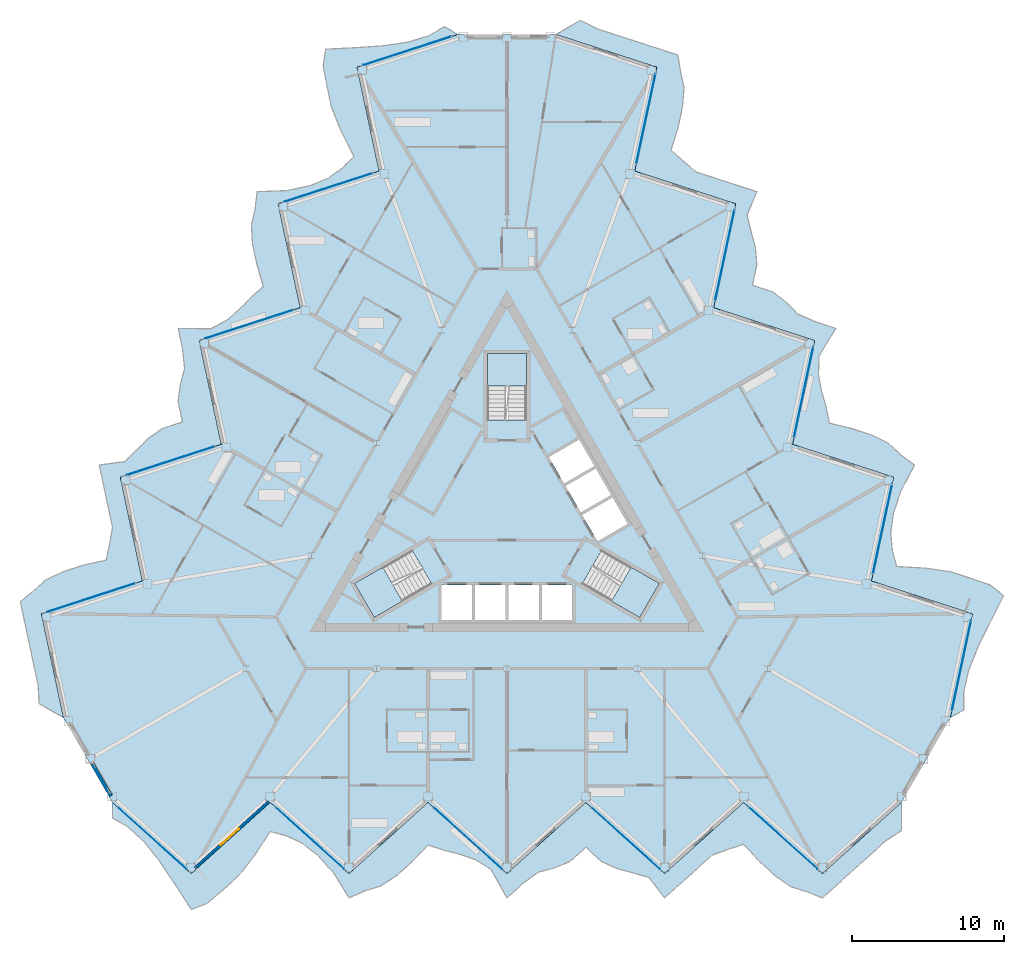
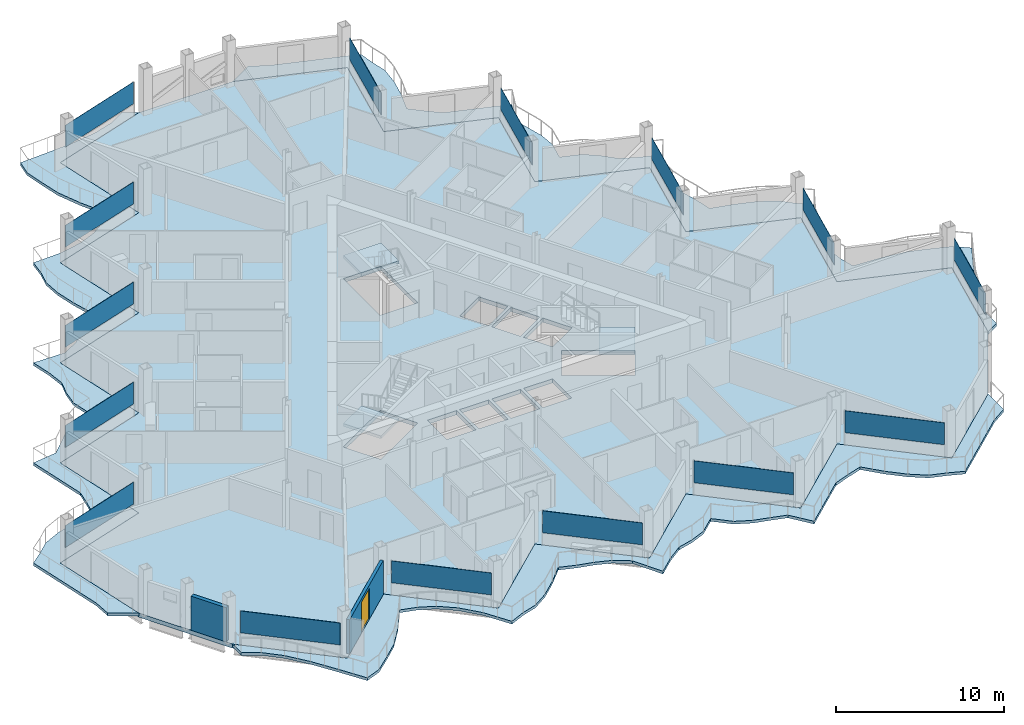
# One storey, part 12 of 26: 15 plates, 7 slabs, 2 walls, 1 door, 1 opening, 18 elements without a shape of their own.
"""IFC4 building model written with IfcOpenShell, lengths in metres."""

import ifcopenshell
import ifcopenshell.guid

model = None  # the IFC model being written
_history = None  # IfcOwnerHistory: only IFC2X3 demands one
_inside = {}  # id of a spatial element -> (the spatial element, [elements in it])
_under = {}  # id of a project, library or spatial element -> (it, [spatial elements below it])
_declared = {}  # id of a project -> (the project, [libraries it declares])
_typed = {}  # id of a type object -> (the type object, [elements of that type])
_made_of = {}  # id of a material, layer set ... -> (it, [elements and type objects made of it])


def new_model(schema):
    """Start an empty IFC model of exactly this schema.

    Asked for "IFC4X3", IfcOpenShell would pick the latest addendum, in which some entities
    have other attributes; the version numbers below select the first issue.
    IFC2X3 requires an IfcOwnerHistory on every rooted entity: one is made here for all.
    """
    global model, _history
    if schema == "IFC4X3":
        model = ifcopenshell.file(schema_version=(4, 3, 0, 0))
    else:
        model = ifcopenshell.file(schema=schema)
    _inside.clear()
    _under.clear()
    _declared.clear()
    _typed.clear()
    _made_of.clear()
    _history = None
    if model.schema == "IFC2X3":
        org = make("IfcOrganization", Name="unknown")
        user = make(
            "IfcPersonAndOrganization",
            ThePerson=make("IfcPerson", FamilyName="unknown"),
            TheOrganization=org,
        )
        app = make(
            "IfcApplication",
            ApplicationDeveloper=org,
            Version="unknown",
            ApplicationFullName="unknown",
            ApplicationIdentifier="unknown",
        )
        _history = make(
            "IfcOwnerHistory",
            OwningUser=user,
            OwningApplication=app,
            ChangeAction="ADDED",
            CreationDate=0,
        )
    return model


def make(cls, **values):
    """One entity of the class cls with the attributes given. An attribute that is None is left unset."""
    return model.create_entity(
        cls, **{name: value for name, value in values.items() if value is not None}
    )


def rooted(cls, **values):
    """An entity with a GlobalId (a new one), such as an element, a storey or a relation."""
    return make(cls, GlobalId=ifcopenshell.guid.new(), OwnerHistory=_history, **values)


def si_unit(unit_type, name, prefix=None):
    """IfcSIUnit, for example si_unit("LENGTHUNIT", "METRE", prefix="MILLI")."""
    return make("IfcSIUnit", UnitType=unit_type, Prefix=prefix, Name=name)


def assignment(units):
    """IfcUnitAssignment: the units of a project."""
    return None if units is None else make("IfcUnitAssignment", Units=units)


def point(xyz):
    """IfcCartesianPoint."""
    return None if xyz is None else make("IfcCartesianPoint", Coordinates=xyz)


def direction(xyz):
    """IfcDirection."""
    return None if xyz is None else make("IfcDirection", DirectionRatios=xyz)


def frame(location, z_axis=None, x_axis=None):
    """IfcAxis2Placement3D, a coordinate frame: its origin and axes. An axis left out is left unset."""
    return make(
        "IfcAxis2Placement3D",
        Location=point(location),
        Axis=direction(z_axis),
        RefDirection=direction(x_axis),
    )


def frame_2d(location, x_axis=None):
    """IfcAxis2Placement2D, a coordinate frame in the plane: its origin and x axis."""
    return make(
        "IfcAxis2Placement2D", Location=point(location), RefDirection=direction(x_axis)
    )


def origin():
    """The frame at (0, 0, 0) with its axes left unset."""
    return frame((0.0, 0.0, 0.0))


def origin_2d():
    """The frame at (0, 0) in the plane with its x axis left unset."""
    return frame_2d((0.0, 0.0))


def place(relative_to, where):
    """IfcLocalPlacement: puts the frame where relative to a parent placement (None: the world)."""
    return make(
        "IfcLocalPlacement", PlacementRelTo=relative_to, RelativePlacement=where
    )


def context(
    kind, dimensions, precision=None, world=None, true_north=None, identifier=None
):
    """IfcGeometricRepresentationContext, for example the 3D "Model" context."""
    return make(
        "IfcGeometricRepresentationContext",
        ContextIdentifier=identifier,
        ContextType=kind,
        CoordinateSpaceDimension=dimensions,
        Precision=precision,
        WorldCoordinateSystem=world,
        TrueNorth=true_north,
    )


def subcontext(parent, identifier, kind, view, scale=None):
    """IfcGeometricRepresentationSubContext, for example "Body" below "Model"."""
    return make(
        "IfcGeometricRepresentationSubContext",
        ContextIdentifier=identifier,
        ContextType=kind,
        ParentContext=parent,
        TargetScale=scale,
        TargetView=view,
    )


def project(units=None, contexts=None):
    """IfcProject with its units and contexts."""
    return rooted(
        "IfcProject",
        Name="project",
        RepresentationContexts=contexts,
        UnitsInContext=assignment(units),
    )


def spatial(cls, under=None, at=None, **own):
    """A site, building, storey or space (cls), placed at a placement, below another one or the project."""
    s = rooted(cls, ObjectPlacement=at, **own)
    if under is not None:
        _under.setdefault(under.id(), (under, []))[1].append(s)
    return s


def polyline(points):
    """IfcPolyline through the points."""
    return make("IfcPolyline", Points=[point(p) for p in points])


def profile(cls, at=None, kind="AREA", **sizes):
    """A parametric profile (cls). Its sizes go by their IFC names, for example OverallWidth=200.0."""
    return make(cls, ProfileType=kind, Position=at, **sizes)


def rectangle(**sizes):
    """IfcRectangleProfileDef."""
    return profile("IfcRectangleProfileDef", **sizes)


def outline(outer, holes=None, kind="AREA"):
    """IfcArbitraryClosedProfileDef: a profile drawn as a closed curve; with holes, ...WithVoids."""
    if holes is None:
        return make("IfcArbitraryClosedProfileDef", ProfileType=kind, OuterCurve=outer)
    return make(
        "IfcArbitraryProfileDefWithVoids",
        ProfileType=kind,
        OuterCurve=outer,
        InnerCurves=holes,
    )


def extrude(swept, where, along, depth):
    """IfcExtrudedAreaSolid: the profile swept, set in the frame where, extruded along a direction by depth."""
    return make(
        "IfcExtrudedAreaSolid",
        SweptArea=swept,
        Position=where,
        ExtrudedDirection=direction(along),
        Depth=depth,
    )


def shape(context_of_items, identifier, shape_type, items):
    """IfcShapeRepresentation: the items that make up one representation, for example the "Body"."""
    return make(
        "IfcShapeRepresentation",
        ContextOfItems=context_of_items,
        RepresentationIdentifier=identifier,
        RepresentationType=shape_type,
        Items=items,
    )


def material(Name=None, Category=None):
    """IfcMaterial."""
    return make("IfcMaterial", Name=Name, Category=Category)


def layer(
    of_material, thickness, ventilated=None, Name=None, Category=None, Priority=None
):
    """IfcMaterialLayer: one layer of a wall or slab, of a material (None: an air gap)."""
    return make(
        "IfcMaterialLayer",
        Material=of_material,
        LayerThickness=thickness,
        IsVentilated=ventilated,
        Name=Name,
        Category=Category,
        Priority=Priority,
    )


def layer_set(layers, Name=None):
    """IfcMaterialLayerSet."""
    return make("IfcMaterialLayerSet", MaterialLayers=layers, LayerSetName=Name)


def made_of(thing, what):
    """Note that an element or type object is made of a material, layer set ...; save() writes the relation."""
    if what is not None:
        _made_of.setdefault(what.id(), (what, []))[1].append(thing)
    return thing


def type_object(cls, material=None, **own):
    """A type object (cls), such as IfcWallType, which elements share."""
    return made_of(rooted(cls, **own), material)


def element(
    cls,
    number,
    at=None,
    inside=None,
    cuts=None,
    type_object=None,
    material=None,
    context=None,
    identifier="Body",
    shape_type=None,
    held_by="IfcProductDefinitionShape",
    body=None,
    shapes=None,
    **own,
):
    """One element of the class cls, such as IfcWall. Its Tag is "e" and its number.

    at: its placement. inside: the storey or other place that contains it. cuts: it is an
    opening in that element (IfcRelVoidsElement). A single representation is given by context,
    identifier, shape_type and body (its items); several are given by shapes. held_by: the class
    of the entity that holds the representations. save() writes the other relations.
    """
    e = rooted(cls, Tag="e%d" % number, ObjectPlacement=at, **own)
    if body is not None:
        shapes = [shape(context, identifier, shape_type, body)]
    if shapes is not None:
        e.Representation = make(held_by, Representations=shapes)
    if inside is not None:
        _inside.setdefault(inside.id(), (inside, []))[1].append(e)
    if cuts is not None:
        rooted(
            "IfcRelVoidsElement", RelatingBuildingElement=cuts, RelatedOpeningElement=e
        )
    if type_object is not None:
        _typed.setdefault(type_object.id(), (type_object, []))[1].append(e)
    return made_of(e, material)


def fill(opening, filler):
    """IfcRelFillsElement: the door or window that sits in an opening."""
    return rooted(
        "IfcRelFillsElement",
        RelatingOpeningElement=opening,
        RelatedBuildingElement=filler,
    )


def aggregate(whole, parts):
    """IfcRelAggregates: a whole, such as a stair, and the parts it consists of."""
    return rooted("IfcRelAggregates", RelatingObject=whole, RelatedObjects=parts)


def save(model, path):
    """Write the relations noted so far, then the file.

    IfcRelAggregates (storeys below a building ...), IfcRelContainedInSpatialStructure (elements
    in a storey), IfcRelDefinesByType, IfcRelAssociatesMaterial and IfcRelDeclares: one each for
    every whole, place, type object, material and project.
    """
    for whole, parts in _under.values():
        aggregate(whole, parts)
    for where, things in _inside.values():
        rooted(
            "IfcRelContainedInSpatialStructure",
            RelatedElements=things,
            RelatingStructure=where,
        )
    for kind, things in _typed.values():
        rooted("IfcRelDefinesByType", RelatedObjects=things, RelatingType=kind)
    for what, things in _made_of.values():
        rooted("IfcRelAssociatesMaterial", RelatedObjects=things, RelatingMaterial=what)
    for by, libraries in _declared.values():
        rooted("IfcRelDeclares", RelatingContext=by, RelatedDefinitions=libraries)
    model.write(path)


model = new_model("IFC4")

# Units and contexts
model_context = context("Model", 3, precision=1e-05, world=origin(), true_north=direction((0.0, 1.0)))
body_context = subcontext(model_context, "Body", "Model", "MODEL_VIEW")
ifc_project = project(units=[si_unit("LENGTHUNIT", "METRE"), si_unit("AREAUNIT", "SQUARE_METRE"), si_unit("VOLUMEUNIT", "CUBIC_METRE"), si_unit("PLANEANGLEUNIT", "RADIAN"), si_unit("MASSUNIT", "GRAM", prefix="KILO")], contexts=[model_context])

# Site, building, storey
site_placement = place(None, origin())
site = spatial("IfcSite", under=ifc_project, at=site_placement, CompositionType="ELEMENT")
building_placement = place(site_placement, origin())
building = spatial("IfcBuilding", under=site, at=building_placement, Name="Cormorant Prow Tower", CompositionType="ELEMENT")
storey_placement = place(building_placement, frame((0.0, 0.0, 329.0)))
storey = spatial("IfcBuildingStorey", under=building, at=storey_placement, Name="L73", CompositionType="ELEMENT", Elevation=329.0)

# Slabs
ifc_material_1 = material(Name="Concrete C40/50", Category="concrete")
ifc_layer_1 = layer(ifc_material_1, 0.199951171875)
ifc_layer_set_1 = layer_set([ifc_layer_1], Name="Concrete C40/50")
slab_type_1 = type_object("IfcSlabType", Name="Balcony slab 200", PredefinedType="FLOOR", material=ifc_layer_set_1)
slab_1_placement = place(storey_placement, frame((0.0, 0.0, -0.199951171875)))
element("IfcSlab", 1, at=slab_1_placement, inside=storey, type_object=slab_type_1, Name="Balcony slab S L73", PredefinedType="FLOOR", context=body_context, shape_type="SweptSolid", body=[
    extrude(outline(polyline([(-25.9736328125, -18.718017578125), (-25.9736328125, -19.734130859375), (-24.9345703125, -20.33837890625), (-23.895751953125, -21.299560546875), (-22.856689453125, -22.610595703125), (-21.81787109375, -24.16064453125), (-20.77880859375, -25.769287109375), (-19.739990234375, -25.367919921875), (-18.700927734375, -24.474609375), (-17.662109375, -23.5390625), (-16.623046875, -22.214111328125), (-15.584228515625, -20.627685546875), (-14.545166015625, -20.90966796875), (-13.50634765625, -21.380615234375), (-12.46728515625, -22.177490234375), (-11.428466796875, -23.3408203125), (-10.389404296875, -24.995361328125), (-9.3505859375, -24.540283203125), (-8.3115234375, -24.223876953125), (-7.272705078125, -23.5390625), (-6.233642578125, -22.603515625), (-5.19482421875, -21.515625), (-4.15576171875, -21.864990234375), (-3.116943359375, -22.123046875), (-2.077880859375, -22.488525390625), (-1.0390625, -23.129150390625), (0.0, -24.995361328125), (1.0390625, -24.06005859375), (2.077880859375, -23.300537109375), (3.116943359375, -23.0322265625), (4.15576171875, -22.603515625), (5.19482421875, -21.668212890625), (6.233642578125, -22.603515625), (7.272705078125, -23.083984375), (8.3115234375, -23.358154296875), (9.3505859375, -23.652099609375), (10.389404296875, -24.995361328125), (11.428466796875, -24.06005859375), (12.46728515625, -23.12451171875), (13.50634765625, -22.18896484375), (14.545166015625, -21.80859375), (15.584228515625, -21.474365234375), (16.623046875, -22.603515625), (17.662109375, -23.5390625), (18.700927734375, -24.267578125), (19.739990234375, -24.597412109375), (20.77880859375, -24.995361328125), (21.81787109375, -24.06005859375), (22.856689453125, -23.12451171875), (23.895751953125, -22.18896484375), (24.9345703125, -21.253662109375), (25.9736328125, -20.56982421875), (25.9736328125, -18.718017578125), (24.9345703125, -19.653564453125), (23.895751953125, -20.589111328125), (22.856689453125, -21.5244140625), (21.81787109375, -22.4599609375), (20.77880859375, -23.3955078125), (19.739990234375, -22.4599609375), (18.700927734375, -21.5244140625), (17.662109375, -20.589111328125), (16.623046875, -19.653564453125), (15.584228515625, -18.718017578125), (14.545166015625, -19.653564453125), (13.50634765625, -20.589111328125), (12.46728515625, -21.5244140625), (11.428466796875, -22.4599609375), (10.389404296875, -23.3955078125), (9.3505859375, -22.4599609375), (8.3115234375, -21.5244140625), (7.272705078125, -20.589111328125), (6.233642578125, -19.653564453125), (5.19482421875, -18.718017578125), (4.15576171875, -19.653564453125), (3.116943359375, -20.589111328125), (2.077880859375, -21.5244140625), (1.0390625, -22.4599609375), (0.0, -23.3955078125), (-1.0390625, -22.4599609375), (-2.077880859375, -21.5244140625), (-3.116943359375, -20.589111328125), (-4.15576171875, -19.653564453125), (-5.19482421875, -18.718017578125), (-6.233642578125, -19.653564453125), (-7.272705078125, -20.589111328125), (-8.3115234375, -21.5244140625), (-9.3505859375, -22.4599609375), (-10.389404296875, -23.3955078125), (-11.428466796875, -22.4599609375), (-12.46728515625, -21.5244140625), (-13.50634765625, -20.589111328125), (-14.545166015625, -19.653564453125), (-15.584228515625, -18.718017578125), (-16.623046875, -19.653564453125), (-17.662109375, -20.589111328125), (-18.700927734375, -21.5244140625), (-19.739990234375, -22.4599609375), (-20.77880859375, -23.3955078125), (-21.81787109375, -22.4599609375), (-22.856689453125, -21.5244140625), (-23.895751953125, -20.589111328125), (-24.9345703125, -19.653564453125), (-25.9736328125, -18.718017578125)])), origin(), (0.0, 0.0, 1.0), 0.199951171875),
])
slab_2_placement = place(storey_placement, frame((0.0, 0.0, -0.199951171875)))
element("IfcSlab", 2, at=slab_2_placement, inside=storey, type_object=slab_type_1, Name="Balcony slab ENE L73", PredefinedType="FLOOR", context=body_context, shape_type="SweptSolid", body=[
    extrude(outline(polyline([(29.197021484375, -13.134765625), (30.0771484375, -12.626708984375), (30.080810546875, -11.4248046875), (30.393798828125, -10.04443359375), (31.009521484375, -8.4892578125), (31.83251953125, -6.814453125), (32.706298828125, -5.1103515625), (31.839111328125, -4.411376953125), (30.546142578125, -3.958251953125), (29.21630859375, -3.526123046875), (27.549560546875, -3.288818359375), (25.65625, -3.182373046875), (25.380859375, -2.1416015625), (25.269287109375, -1.00634765625), (25.43994140625, 0.291748046875), (25.927978515625, 1.773193359375), (26.84130859375, 3.500244140625), (25.927734375, 4.17236328125), (25.13427734375, 4.913818359375), (24.021728515625, 5.47119140625), (22.692138671875, 5.9033203125), (21.23046875, 6.259033203125), (21.013671875, 7.33349609375), (20.717529296875, 8.3623046875), (20.5146484375, 9.44482421875), (20.550048828125, 10.664794921875), (21.646728515625, 12.497802734375), (20.317138671875, 12.9296875), (19.139892578125, 13.44970703125), (18.38818359375, 14.21533203125), (17.497314453125, 14.90087890625), (16.167724609375, 15.332763671875), (16.45849609375, 16.7001953125), (16.35498046875, 17.840087890625), (16.072998046875, 18.877197265625), (15.80810546875, 19.923828125), (16.451904296875, 21.4951171875), (15.122314453125, 21.92724609375), (13.792724609375, 22.359375), (12.463134765625, 22.791259765625), (11.6142578125, 23.500732421875), (10.80517578125, 24.2333984375), (11.263671875, 25.69775390625), (11.554443359375, 27.065185546875), (11.665771484375, 28.3291015625), (11.43212890625, 29.39404296875), (11.25732421875, 30.49267578125), (9.927734375, 30.9248046875), (8.59814453125, 31.356689453125), (7.2685546875, 31.788818359375), (5.93896484375, 32.220703125), (4.8271484375, 32.778564453125), (3.2236328125, 31.852783203125), (4.55322265625, 31.4208984375), (5.8828125, 30.98876953125), (7.21240234375, 30.556640625), (8.5419921875, 30.124755859375), (9.87158203125, 29.692626953125), (9.5810546875, 28.3251953125), (9.290283203125, 26.957763671875), (8.999755859375, 25.59033203125), (8.708984375, 24.222900390625), (8.418212890625, 22.855224609375), (9.748046875, 22.42333984375), (11.07763671875, 21.9912109375), (12.4072265625, 21.559326171875), (13.73681640625, 21.127197265625), (15.06640625, 20.6953125), (14.775634765625, 19.32763671875), (14.485107421875, 17.960205078125), (14.1943359375, 16.5927734375), (13.90380859375, 15.225341796875), (13.613037109375, 13.85791015625), (14.942626953125, 13.42578125), (16.272216796875, 12.993896484375), (17.601806640625, 12.561767578125), (18.931396484375, 12.129638671875), (20.260986328125, 11.69775390625), (19.970458984375, 10.330322265625), (19.6796875, 8.962646484375), (19.38916015625, 7.59521484375), (19.098388671875, 6.227783203125), (18.8076171875, 4.8603515625), (20.137451171875, 4.42822265625), (21.467041015625, 3.996337890625), (22.796630859375, 3.564208984375), (24.126220703125, 3.13232421875), (25.455810546875, 2.7001953125), (25.1650390625, 1.332763671875), (24.87451171875, -0.03466796875), (24.583740234375, -1.402099609375), (24.293212890625, -2.769775390625), (24.00244140625, -4.13720703125), (25.33203125, -4.569091796875), (26.66162109375, -5.001220703125), (27.9912109375, -5.43310546875), (29.32080078125, -5.865234375), (30.650390625, -6.29736328125), (30.35986328125, -7.664794921875), (30.069091796875, -9.0322265625), (29.778564453125, -10.399658203125), (29.48779296875, -11.76708984375), (29.197021484375, -13.134765625)])), origin(), (0.0, 0.0, 1.0), 0.199951171875),
])
slab_3_placement = place(storey_placement, frame((0.0, 0.0, -0.199951171875)))
element("IfcSlab", 3, at=slab_3_placement, inside=storey, type_object=slab_type_1, Name="Balcony slab WNW L73", PredefinedType="FLOOR", context=body_context, shape_type="SweptSolid", body=[
    extrude(outline(polyline([(-3.2236328125, 31.852783203125), (-4.103515625, 32.36083984375), (-5.146240234375, 31.76318359375), (-6.498291015625, 31.343994140625), (-8.15283203125, 31.099853515625), (-10.014892578125, 30.97509765625), (-11.927490234375, 30.879638671875), (-12.099365234375, 29.779052734375), (-11.84521484375, 28.432861328125), (-11.554443359375, 27.065185546875), (-10.926513671875, 25.5029296875), (-10.072021484375, 23.81005859375), (-10.835693359375, 23.05126953125), (-11.762939453125, 22.386962890625), (-12.97265625, 21.8857421875), (-14.49951171875, 21.567626953125), (-16.451904296875, 21.4951171875), (-16.5771484375, 20.367919921875), (-16.82275390625, 19.309814453125), (-16.7490234375, 18.06787109375), (-16.45849609375, 16.7001953125), (-16.03564453125, 15.256591796875), (-16.85791015625, 14.531494140625), (-17.600830078125, 13.7607421875), (-18.436767578125, 13.043701171875), (-19.510986328125, 12.46435546875), (-21.646728515625, 12.497802734375), (-21.35595703125, 11.13037109375), (-21.2177734375, 9.850830078125), (-21.5048828125, 8.81689453125), (-21.653076171875, 7.702880859375), (-21.362548828125, 6.335205078125), (-22.692138671875, 5.9033203125), (-23.62744140625, 5.24365234375), (-24.384521484375, 4.481201171875), (-25.158447265625, 3.728271484375), (-26.84130859375, 3.500244140625), (-26.55078125, 2.1328125), (-26.260009765625, 0.765380859375), (-25.969482421875, -0.602294921875), (-26.159423828125, -1.692138671875), (-26.389404296875, -2.759033203125), (-27.88671875, -3.09423828125), (-29.21630859375, -3.526123046875), (-30.36669921875, -4.061767578125), (-31.171875, -4.796630859375), (-32.0361328125, -5.497314453125), (-31.745361328125, -6.86474609375), (-31.454833984375, -8.232177734375), (-31.1640625, -9.599609375), (-30.87353515625, -10.96728515625), (-30.80078125, -12.208740234375), (-29.197021484375, -13.134765625), (-29.48779296875, -11.76708984375), (-29.778564453125, -10.399658203125), (-30.069091796875, -9.0322265625), (-30.35986328125, -7.664794921875), (-30.650390625, -6.29736328125), (-29.32080078125, -5.865234375), (-27.9912109375, -5.43310546875), (-26.66162109375, -5.001220703125), (-25.33203125, -4.569091796875), (-24.00244140625, -4.13720703125), (-24.293212890625, -2.769775390625), (-24.583740234375, -1.402099609375), (-24.87451171875, -0.03466796875), (-25.1650390625, 1.332763671875), (-25.455810546875, 2.7001953125), (-24.126220703125, 3.13232421875), (-22.796630859375, 3.564208984375), (-21.467041015625, 3.996337890625), (-20.137451171875, 4.42822265625), (-18.8076171875, 4.8603515625), (-19.098388671875, 6.227783203125), (-19.38916015625, 7.59521484375), (-19.6796875, 8.962646484375), (-19.970458984375, 10.330322265625), (-20.260986328125, 11.69775390625), (-18.931396484375, 12.129638671875), (-17.601806640625, 12.561767578125), (-16.272216796875, 12.993896484375), (-14.942626953125, 13.42578125), (-13.613037109375, 13.85791015625), (-13.90380859375, 15.225341796875), (-14.1943359375, 16.5927734375), (-14.485107421875, 17.960205078125), (-14.775634765625, 19.32763671875), (-15.06640625, 20.6953125), (-13.73681640625, 21.127197265625), (-12.4072265625, 21.559326171875), (-11.07763671875, 21.9912109375), (-9.748046875, 22.42333984375), (-8.418212890625, 22.855224609375), (-8.708984375, 24.222900390625), (-8.999755859375, 25.59033203125), (-9.290283203125, 26.957763671875), (-9.5810546875, 28.3251953125), (-9.87158203125, 29.692626953125), (-8.5419921875, 30.124755859375), (-7.21240234375, 30.556640625), (-5.8828125, 30.98876953125), (-4.55322265625, 31.4208984375), (-3.2236328125, 31.852783203125)])), origin(), (0.0, 0.0, 1.0), 0.199951171875),
])
ifc_material_2 = material(Name="Concrete C40/50", Category="concrete")
ifc_layer_2 = layer(ifc_material_2, 0.300048828125)
ifc_layer_set_2 = layer_set([ifc_layer_2], Name="Concrete C40/50")
slab_type_2 = type_object("IfcSlabType", Name="Post-tensioned flat slab 300", PredefinedType="FLOOR", material=ifc_layer_set_2)
slab_4_placement = place(storey_placement, frame((0.0, 0.0, -0.300048828125)))
element("IfcSlab", 4, at=slab_4_placement, inside=storey, type_object=slab_type_2, Name="Floor slab L73", PredefinedType="FLOOR", context=body_context, shape_type="SweptSolid", body=[
    extrude(outline(polyline([(-8.418212890625, 22.855224609375), (-15.06640625, 20.6953125), (-13.613037109375, 13.85791015625), (-20.260986328125, 11.69775390625), (-18.8076171875, 4.8603515625), (-25.455810546875, 2.7001953125), (-24.00244140625, -4.13720703125), (-30.650390625, -6.29736328125), (-29.197021484375, -13.134765625), (-27.58544921875, -15.926513671875), (-25.9736328125, -18.718017578125), (-20.77880859375, -23.3955078125), (-15.584228515625, -18.718017578125), (-10.389404296875, -23.3955078125), (-5.19482421875, -18.718017578125), (0.0, -23.3955078125), (5.19482421875, -18.718017578125), (10.389404296875, -23.3955078125), (15.584228515625, -18.718017578125), (20.77880859375, -23.3955078125), (25.9736328125, -18.718017578125), (27.58544921875, -15.926513671875), (29.197021484375, -13.134765625), (30.650390625, -6.29736328125), (24.00244140625, -4.13720703125), (25.455810546875, 2.7001953125), (18.8076171875, 4.8603515625), (20.260986328125, 11.69775390625), (13.613037109375, 13.85791015625), (15.06640625, 20.6953125), (8.418212890625, 22.855224609375), (9.87158203125, 29.692626953125), (3.2236328125, 31.852783203125), (0.0, 31.852783203125), (-3.2236328125, 31.852783203125), (-9.87158203125, 29.692626953125), (-8.418212890625, 22.855224609375)]), holes=[polyline([(-4.300048828125, -4.39990234375), (-2.300048828125, -4.39990234375), (-2.300048828125, -6.699951171875), (-4.300048828125, -6.699951171875), (-4.300048828125, -4.39990234375)]), polyline([(-0.10009765625, -4.39990234375), (-0.10009765625, -6.699951171875), (-2.10009765625, -6.699951171875), (-2.10009765625, -4.39990234375), (-0.10009765625, -4.39990234375)]), polyline([(2.10009765625, -6.699951171875), (0.10009765625, -6.699951171875), (0.10009765625, -4.39990234375), (2.10009765625, -4.39990234375), (2.10009765625, -6.699951171875)]), polyline([(2.300048828125, -6.699951171875), (2.300048828125, -4.39990234375), (4.300048828125, -4.39990234375), (4.300048828125, -6.699951171875), (2.300048828125, -6.699951171875)]), polyline([(5.96044921875, -1.52392578125), (4.96044921875, 0.2080078125), (6.952392578125, 1.358154296875), (7.952392578125, -0.373779296875), (5.96044921875, -1.52392578125)]), polyline([(3.860595703125, 2.11328125), (5.852294921875, 3.263427734375), (6.852294921875, 1.53125), (4.860595703125, 0.38134765625), (3.860595703125, 2.11328125)]), polyline([(4.75244140625, 5.168701171875), (5.75244140625, 3.4365234375), (3.760498046875, 2.28662109375), (2.760498046875, 4.018798828125), (4.75244140625, 5.168701171875)]), polyline([(-4.947509765625, -4.3505859375), (-8.738037109375, -6.5390625), (-10.031982421875, -4.2978515625), (-6.241455078125, -2.109375), (-4.947509765625, -4.3505859375)]), polyline([(10.031982421875, -4.2978515625), (8.738037109375, -6.5390625), (4.947509765625, -4.3505859375), (6.241455078125, -2.109375), (10.031982421875, -4.2978515625)]), polyline([(1.2939453125, 10.8369140625), (1.2939453125, 6.459716796875), (-1.2939453125, 6.459716796875), (-1.2939453125, 10.8369140625), (1.2939453125, 10.8369140625)])]), origin(), (0.0, 0.0, 1.0), 0.300048828125),
])

# Curtain wall, plate
ifc_material_3 = material(Name="Aluminium 6063-T6", Category="aluminium")
ifc_layer_3 = layer(ifc_material_3, 0.159912109375)
ifc_layer_set_3 = layer_set([ifc_layer_3], Name="Aluminium 6063-T6")
curtain_wall_type = type_object("IfcCurtainWallType", Name="Residential unitised curtain wall 160", PredefinedType="NOTDEFINED", material=ifc_layer_set_3)
curtain_wall_1_placement = place(storey_placement, origin())
curtain_wall_1 = element("IfcCurtainWall", 5, at=curtain_wall_1_placement, inside=storey, type_object=curtain_wall_type, Name="Residential curtain wall S00", PredefinedType="NOTDEFINED")
ifc_material_4 = material(Name="Clear glass", Category="glass")
ifc_layer_4 = layer(ifc_material_4, 0.02392578125)
ifc_layer_set_4 = layer_set([ifc_layer_4], Name="Clear glass")
plate_type = type_object("IfcPlateType", Name="Residential glass panel 24", PredefinedType="CURTAIN_PANEL", material=ifc_layer_set_4)
plate_1_placement = place(storey_placement, frame((-23.357666015625, -21.073486328125, 0.89990234375), z_axis=(0.0, 0.0, 1.0), x_axis=(0.74314478215, -0.669130654479, 0.0)))
plate_1 = element("IfcPlate", 6, at=plate_1_placement, type_object=plate_type, Name="Residential glass panel S00", PredefinedType="CURTAIN_PANEL", context=body_context, shape_type="SweptSolid", body=[
    extrude(rectangle(XDim=6.072265625, YDim=0.02392578125, at=origin_2d()), origin(), (0.0, 0.0, 1.0), 1.587890625),
])
aggregate(curtain_wall_1, [plate_1])

curtain_wall_2_placement = place(storey_placement, origin())
curtain_wall_2 = element("IfcCurtainWall", 7, at=curtain_wall_2_placement, inside=storey, type_object=curtain_wall_type, Name="Residential curtain wall S02", PredefinedType="NOTDEFINED")
plate_2_placement = place(storey_placement, frame((-12.96826171875, -21.073486328125, 0.89990234375), z_axis=(0.0, 0.0, 1.0), x_axis=(0.74314478215, -0.669130654479, 0.0)))
plate_2 = element("IfcPlate", 8, at=plate_2_placement, type_object=plate_type, Name="Residential glass panel S02", PredefinedType="CURTAIN_PANEL", context=body_context, shape_type="SweptSolid", body=[
    extrude(rectangle(XDim=6.072265625, YDim=0.02392578125, at=origin_2d()), origin(), (0.0, 0.0, 1.0), 1.587890625),
])
aggregate(curtain_wall_2, [plate_2])

curtain_wall_3_placement = place(storey_placement, origin())
curtain_wall_3 = element("IfcCurtainWall", 9, at=curtain_wall_3_placement, inside=storey, type_object=curtain_wall_type, Name="Residential curtain wall S04", PredefinedType="NOTDEFINED")
plate_3_placement = place(storey_placement, frame((-2.578857421875, -21.073486328125, 0.89990234375), z_axis=(0.0, 0.0, 1.0), x_axis=(0.74314478215, -0.669130654479, 0.0)))
plate_3 = element("IfcPlate", 10, at=plate_3_placement, type_object=plate_type, Name="Residential glass panel S04", PredefinedType="CURTAIN_PANEL", context=body_context, shape_type="SweptSolid", body=[
    extrude(rectangle(XDim=6.072265625, YDim=0.02392578125, at=origin_2d()), origin(), (0.0, 0.0, 1.0), 1.587890625),
])
aggregate(curtain_wall_3, [plate_3])

curtain_wall_4_placement = place(storey_placement, origin())
curtain_wall_4 = element("IfcCurtainWall", 11, at=curtain_wall_4_placement, inside=storey, type_object=curtain_wall_type, Name="Residential curtain wall S06", PredefinedType="NOTDEFINED")
plate_4_placement = place(storey_placement, frame((7.810546875, -21.073486328125, 0.89990234375), z_axis=(0.0, 0.0, 1.0), x_axis=(0.74314478215, -0.669130654479, 0.0)))
plate_4 = element("IfcPlate", 12, at=plate_4_placement, type_object=plate_type, Name="Residential glass panel S06", PredefinedType="CURTAIN_PANEL", context=body_context, shape_type="SweptSolid", body=[
    extrude(rectangle(XDim=6.072265625, YDim=0.02392578125, at=origin_2d()), origin(), (0.0, 0.0, 1.0), 1.587890625),
])
aggregate(curtain_wall_4, [plate_4])

curtain_wall_5_placement = place(storey_placement, origin())
curtain_wall_5 = element("IfcCurtainWall", 13, at=curtain_wall_5_placement, inside=storey, type_object=curtain_wall_type, Name="Residential curtain wall S08", PredefinedType="NOTDEFINED")
plate_5_placement = place(storey_placement, frame((18.199951171875, -21.073486328125, 0.89990234375), z_axis=(0.0, 0.0, 1.0), x_axis=(0.74314478215, -0.669130654479, 0.0)))
plate_5 = element("IfcPlate", 14, at=plate_5_placement, type_object=plate_type, Name="Residential glass panel S08", PredefinedType="CURTAIN_PANEL", context=body_context, shape_type="SweptSolid", body=[
    extrude(rectangle(XDim=6.072265625, YDim=0.02392578125, at=origin_2d()), origin(), (0.0, 0.0, 1.0), 1.587890625),
])
aggregate(curtain_wall_5, [plate_5])

curtain_wall_6_placement = place(storey_placement, origin())
curtain_wall_6 = element("IfcCurtainWall", 15, at=curtain_wall_6_placement, inside=storey, type_object=curtain_wall_type, Name="Residential curtain wall ENE00", PredefinedType="NOTDEFINED")
plate_6_placement = place(storey_placement, frame((29.928955078125, -9.69140625, 0.89990234375), z_axis=(0.0, 0.0, 1.0), x_axis=(0.207911691091, 0.978147600676, 0.0)))
plate_6 = element("IfcPlate", 16, at=plate_6_placement, type_object=plate_type, Name="Residential glass panel ENE00", PredefinedType="CURTAIN_PANEL", context=body_context, shape_type="SweptSolid", body=[
    extrude(rectangle(XDim=6.072265625, YDim=0.02392578125, at=origin_2d()), origin(), (0.0, 0.0, 1.0), 1.587890625),
])
aggregate(curtain_wall_6, [plate_6])

curtain_wall_7_placement = place(storey_placement, origin())
curtain_wall_7 = element("IfcCurtainWall", 17, at=curtain_wall_7_placement, inside=storey, type_object=curtain_wall_type, Name="Residential curtain wall ENE02", PredefinedType="NOTDEFINED")
plate_7_placement = place(storey_placement, frame((24.734375, -0.694091796875, 0.89990234375), z_axis=(0.0, 0.0, 1.0), x_axis=(0.207911691091, 0.978147600676, 0.0)))
plate_7 = element("IfcPlate", 18, at=plate_7_placement, type_object=plate_type, Name="Residential glass panel ENE02", PredefinedType="CURTAIN_PANEL", context=body_context, shape_type="SweptSolid", body=[
    extrude(rectangle(XDim=6.072265625, YDim=0.02392578125, at=origin_2d()), origin(), (0.0, 0.0, 1.0), 1.587890625),
])
aggregate(curtain_wall_7, [plate_7])

curtain_wall_8_placement = place(storey_placement, origin())
curtain_wall_8 = element("IfcCurtainWall", 19, at=curtain_wall_8_placement, inside=storey, type_object=curtain_wall_type, Name="Residential curtain wall ENE04", PredefinedType="NOTDEFINED")
plate_8_placement = place(storey_placement, frame((19.53955078125, 8.303466796875, 0.89990234375), z_axis=(0.0, 0.0, 1.0), x_axis=(0.207911691091, 0.978147600676, 0.0)))
plate_8 = element("IfcPlate", 20, at=plate_8_placement, type_object=plate_type, Name="Residential glass panel ENE04", PredefinedType="CURTAIN_PANEL", context=body_context, shape_type="SweptSolid", body=[
    extrude(rectangle(XDim=6.072265625, YDim=0.02392578125, at=origin_2d()), origin(), (0.0, 0.0, 1.0), 1.587890625),
])
aggregate(curtain_wall_8, [plate_8])

curtain_wall_9_placement = place(storey_placement, origin())
curtain_wall_9 = element("IfcCurtainWall", 21, at=curtain_wall_9_placement, inside=storey, type_object=curtain_wall_type, Name="Residential curtain wall ENE06", PredefinedType="NOTDEFINED")
plate_9_placement = place(storey_placement, frame((14.344970703125, 17.301025390625, 0.89990234375), z_axis=(0.0, 0.0, 1.0), x_axis=(0.207911691091, 0.978147600676, 0.0)))
plate_9 = element("IfcPlate", 22, at=plate_9_placement, type_object=plate_type, Name="Residential glass panel ENE06", PredefinedType="CURTAIN_PANEL", context=body_context, shape_type="SweptSolid", body=[
    extrude(rectangle(XDim=6.072265625, YDim=0.02392578125, at=origin_2d()), origin(), (0.0, 0.0, 1.0), 1.587890625),
])
aggregate(curtain_wall_9, [plate_9])

curtain_wall_10_placement = place(storey_placement, origin())
curtain_wall_10 = element("IfcCurtainWall", 23, at=curtain_wall_10_placement, inside=storey, type_object=curtain_wall_type, Name="Residential curtain wall ENE08", PredefinedType="NOTDEFINED")
plate_10_placement = place(storey_placement, frame((9.150146484375, 26.298583984375, 0.89990234375), z_axis=(0.0, 0.0, 1.0), x_axis=(0.207911662, 0.978147606859, 0.0)))
plate_10 = element("IfcPlate", 24, at=plate_10_placement, type_object=plate_type, Name="Residential glass panel ENE08", PredefinedType="CURTAIN_PANEL", context=body_context, shape_type="SweptSolid", body=[
    extrude(rectangle(XDim=6.072265625, YDim=0.02392578125, at=origin_2d()), origin(), (0.0, 0.0, 1.0), 1.587890625),
])
aggregate(curtain_wall_10, [plate_10])

curtain_wall_11_placement = place(storey_placement, origin())
curtain_wall_11 = element("IfcCurtainWall", 25, at=curtain_wall_11_placement, inside=storey, type_object=curtain_wall_type, Name="Residential curtain wall WNW00", PredefinedType="NOTDEFINED")
plate_11_placement = place(storey_placement, frame((-6.571533203125, 30.76513671875, 0.89990234375), z_axis=(0.0, 0.0, 1.0), x_axis=(-0.951056549389, -0.309016892523, 0.0)))
plate_11 = element("IfcPlate", 26, at=plate_11_placement, type_object=plate_type, Name="Residential glass panel WNW00", PredefinedType="CURTAIN_PANEL", context=body_context, shape_type="SweptSolid", body=[
    extrude(rectangle(XDim=6.072265625, YDim=0.02392578125, at=origin_2d()), origin(), (0.0, 0.0, 1.0), 1.587890625),
])
aggregate(curtain_wall_11, [plate_11])

curtain_wall_12_placement = place(storey_placement, origin())
curtain_wall_12 = element("IfcCurtainWall", 27, at=curtain_wall_12_placement, inside=storey, type_object=curtain_wall_type, Name="Residential curtain wall WNW02", PredefinedType="NOTDEFINED")
plate_12_placement = place(storey_placement, frame((-11.76611328125, 21.767578125, 0.89990234375), z_axis=(0.0, 0.0, 1.0), x_axis=(-0.951056549389, -0.309016892523, 0.0)))
plate_12 = element("IfcPlate", 28, at=plate_12_placement, type_object=plate_type, Name="Residential glass panel WNW02", PredefinedType="CURTAIN_PANEL", context=body_context, shape_type="SweptSolid", body=[
    extrude(rectangle(XDim=6.072265625, YDim=0.02392578125, at=origin_2d()), origin(), (0.0, 0.0, 1.0), 1.587890625),
])
aggregate(curtain_wall_12, [plate_12])

curtain_wall_13_placement = place(storey_placement, origin())
curtain_wall_13 = element("IfcCurtainWall", 29, at=curtain_wall_13_placement, inside=storey, type_object=curtain_wall_type, Name="Residential curtain wall WNW04", PredefinedType="NOTDEFINED")
plate_13_placement = place(storey_placement, frame((-16.9609375, 12.77001953125, 0.89990234375), z_axis=(0.0, 0.0, 1.0), x_axis=(-0.951056507348, -0.309017021913, 0.0)))
plate_13 = element("IfcPlate", 30, at=plate_13_placement, type_object=plate_type, Name="Residential glass panel WNW04", PredefinedType="CURTAIN_PANEL", context=body_context, shape_type="SweptSolid", body=[
    extrude(rectangle(XDim=6.072265625, YDim=0.02392578125, at=origin_2d()), origin(), (0.0, 0.0, 1.0), 1.587890625),
])
aggregate(curtain_wall_13, [plate_13])

curtain_wall_14_placement = place(storey_placement, origin())
curtain_wall_14 = element("IfcCurtainWall", 31, at=curtain_wall_14_placement, inside=storey, type_object=curtain_wall_type, Name="Residential curtain wall WNW06", PredefinedType="NOTDEFINED")
plate_14_placement = place(storey_placement, frame((-22.155517578125, 3.7724609375, 0.89990234375), z_axis=(0.0, 0.0, 1.0), x_axis=(-0.951056507348, -0.309017021913, 0.0)))
plate_14 = element("IfcPlate", 32, at=plate_14_placement, type_object=plate_type, Name="Residential glass panel WNW06", PredefinedType="CURTAIN_PANEL", context=body_context, shape_type="SweptSolid", body=[
    extrude(rectangle(XDim=6.072265625, YDim=0.02392578125, at=origin_2d()), origin(), (0.0, 0.0, 1.0), 1.587890625),
])
aggregate(curtain_wall_14, [plate_14])

curtain_wall_15_placement = place(storey_placement, origin())
curtain_wall_15 = element("IfcCurtainWall", 33, at=curtain_wall_15_placement, inside=storey, type_object=curtain_wall_type, Name="Residential curtain wall WNW08", PredefinedType="NOTDEFINED")
plate_15_placement = place(storey_placement, frame((-27.350341796875, -5.224853515625, 0.89990234375), z_axis=(0.0, 0.0, 1.0), x_axis=(-0.951056507348, -0.309017021913, 0.0)))
plate_15 = element("IfcPlate", 34, at=plate_15_placement, type_object=plate_type, Name="Residential glass panel WNW08", PredefinedType="CURTAIN_PANEL", context=body_context, shape_type="SweptSolid", body=[
    extrude(rectangle(XDim=6.072265625, YDim=0.02392578125, at=origin_2d()), origin(), (0.0, 0.0, 1.0), 1.587890625),
])
aggregate(curtain_wall_15, [plate_15])

# Stair, slab
ifc_material_5 = material(Name="Exit stair 18 risers")
stair_type = type_object("IfcStairType", Name="Exit stair 18 risers", PredefinedType="HALF_TURN_STAIR", material=ifc_material_5)
stair_1_placement = place(storey_placement, origin())
stair_1 = element("IfcStair", 35, at=stair_1_placement, inside=storey, type_object=stair_type, Name="L73 Exit stair ST1", PredefinedType="HALF_TURN_STAIR")
ifc_material_6 = material(Name="Concrete 5000 psi", Category="concrete")
ifc_layer_5 = layer(ifc_material_6, 0.199951171875)
ifc_layer_set_5 = layer_set([ifc_layer_5], Name="Concrete 5000 psi")
slab_type_3 = type_object("IfcSlabType", Name="Stair landing 200", PredefinedType="LANDING", material=ifc_layer_set_5)
slab_5_placement = place(storey_placement, frame((0.0, 0.0, 1.5)))
slab_5 = element("IfcSlab", 36, at=slab_5_placement, type_object=slab_type_3, Name="ST1 landing 1", PredefinedType="LANDING", context=body_context, shape_type="SweptSolid", body=[
    extrude(outline(polyline([(-8.17431640625, -3.225341796875), (-10.031982421875, -4.2978515625), (-8.738037109375, -6.5390625), (-6.88037109375, -5.466552734375), (-8.17431640625, -3.225341796875)])), origin(), (0.0, 0.0, 1.0), 0.199951171875),
])
aggregate(stair_1, [slab_5])

stair_2_placement = place(storey_placement, origin())
stair_2 = element("IfcStair", 37, at=stair_2_placement, inside=storey, type_object=stair_type, Name="L73 Exit stair ST2", PredefinedType="HALF_TURN_STAIR")
slab_6_placement = place(storey_placement, frame((0.0, 0.0, 1.5)))
slab_6 = element("IfcSlab", 38, at=slab_6_placement, type_object=slab_type_3, Name="ST2 landing 1", PredefinedType="LANDING", context=body_context, shape_type="SweptSolid", body=[
    extrude(outline(polyline([(6.88037109375, -5.466552734375), (8.738037109375, -6.5390625), (10.031982421875, -4.2978515625), (8.17431640625, -3.225341796875), (6.88037109375, -5.466552734375)])), origin(), (0.0, 0.0, 1.0), 0.199951171875),
])
aggregate(stair_2, [slab_6])

stair_3_placement = place(storey_placement, origin())
stair_3 = element("IfcStair", 39, at=stair_3_placement, inside=storey, type_object=stair_type, Name="L73 Exit stair ST3", PredefinedType="HALF_TURN_STAIR")
slab_7_placement = place(storey_placement, frame((0.0, 0.0, 1.5)))
slab_7 = element("IfcSlab", 40, at=slab_7_placement, type_object=slab_type_3, Name="ST3 landing 1", PredefinedType="LANDING", context=body_context, shape_type="SweptSolid", body=[
    extrude(outline(polyline([(1.2939453125, 8.69189453125), (1.2939453125, 10.8369140625), (-1.2939453125, 10.8369140625), (-1.2939453125, 8.69189453125), (1.2939453125, 8.69189453125)])), origin(), (0.0, 0.0, 1.0), 0.199951171875),
])
aggregate(stair_3, [slab_7])

# Wall
ifc_material_7 = material(Name="Terracotta", Category="masonry")
ifc_layer_6 = layer(ifc_material_7, 0.25)
ifc_layer_set_6 = layer_set([ifc_layer_6], Name="Terracotta")
wall_type_1 = type_object("IfcWallType", Name="Terracotta bay wall 250", PredefinedType="SOLIDWALL", material=ifc_layer_set_6)
wall_1_placement = place(storey_placement, frame((-27.2900390625, -16.18798828125, 0.0), z_axis=(0.0, 0.0, 1.0), x_axis=(0.50001992892, -0.866013897511, 0.0)))
element("IfcWall", 41, at=wall_1_placement, inside=storey, type_object=wall_type_1, Name="Terracotta bay wall WSW01", PredefinedType="SOLIDWALL", context=body_context, shape_type="SweptSolid", body=[
    extrude(rectangle(XDim=2.41552734375, YDim=0.25, at=frame_2d((1.207763671875, 0.0))), origin(), (0.0, 0.0, 1.0), 2.48779296875),
])

# Wall, opening, door
ifc_material_8 = material(Name="Terracotta", Category="masonry")
ifc_layer_7 = layer(ifc_material_8, 0.199951171875)
ifc_layer_set_7 = layer_set([ifc_layer_7], Name="Terracotta")
wall_type_2 = type_object("IfcWallType", Name="Terracotta jamb wall 200", PredefinedType="SOLIDWALL", material=ifc_layer_set_7)
wall_2_placement = place(storey_placement, frame((-20.523193359375, -23.03076171875, 0.0), z_axis=(0.0, 0.0, 1.0), x_axis=(0.743138937876, 0.669137145145, 0.0)))
wall_2 = element("IfcWall", 42, at=wall_2_placement, inside=storey, type_object=wall_type_2, Name="Terracotta jamb wall S01", PredefinedType="SOLIDWALL", context=body_context, shape_type="SweptSolid", body=[
    extrude(rectangle(XDim=6.49267578125, YDim=0.199951171875, at=frame_2d((3.246337890625, 0.0))), origin(), (0.0, 0.0, 1.0), 2.48779296875),
])
opening_placement = place(wall_2_placement, frame((2.260986328125, 0.0, 0.0)))
opening = element("IfcOpeningElement", 43, at=opening_placement, cuts=wall_2, Name="Opening ED73.01", PredefinedType="OPENING", context=body_context, shape_type="SweptSolid", body=[
    extrude(rectangle(XDim=1.60009765625, YDim=2.25, at=frame_2d((0.800048828125, 1.125))), frame((0.0, 0.10986328125, 0.0), z_axis=(0.0, -1.0, 0.0), x_axis=(1.0, 0.0, 0.0)), (0.0, 0.0, 1.0), 0.219970703125),
])
ifc_material_9 = material(Name="Aluminium 6063-T6", Category="aluminium")
door_type = type_object("IfcDoorType", Name="Balcony door 1600x2250", OperationType="DOUBLE_DOOR_SINGLE_SWING", PredefinedType="DOOR", material=ifc_material_9)
door_placement = place(opening_placement, origin())
door = element("IfcDoor", 44, at=door_placement, inside=storey, type_object=door_type, Name="Balcony door S01 ED73.01", OperationType="DOUBLE_DOOR_SINGLE_SWING", OverallHeight=2.25, OverallWidth=1.60009765625, PredefinedType="DOOR", context=body_context, shape_type="SweptSolid", body=[
    extrude(rectangle(XDim=1.60009765625, YDim=2.25, at=frame_2d((0.800048828125, 1.125))), frame((0.0, 0.02490234375, 0.0), z_axis=(0.0, -1.0, 0.0), x_axis=(1.0, 0.0, 0.0)), (0.0, 0.0, 1.0), 0.050048828125),
])
fill(opening, door)

save(model, "model.ifc")
